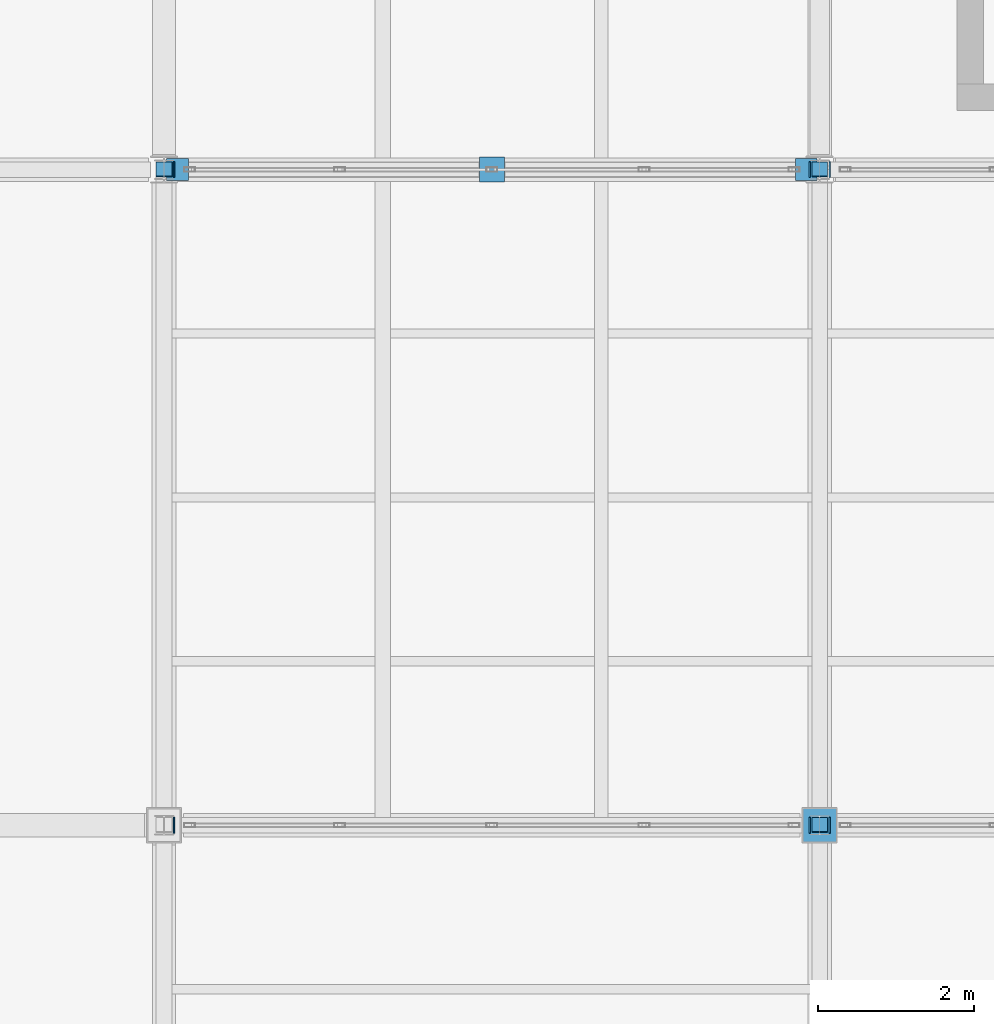
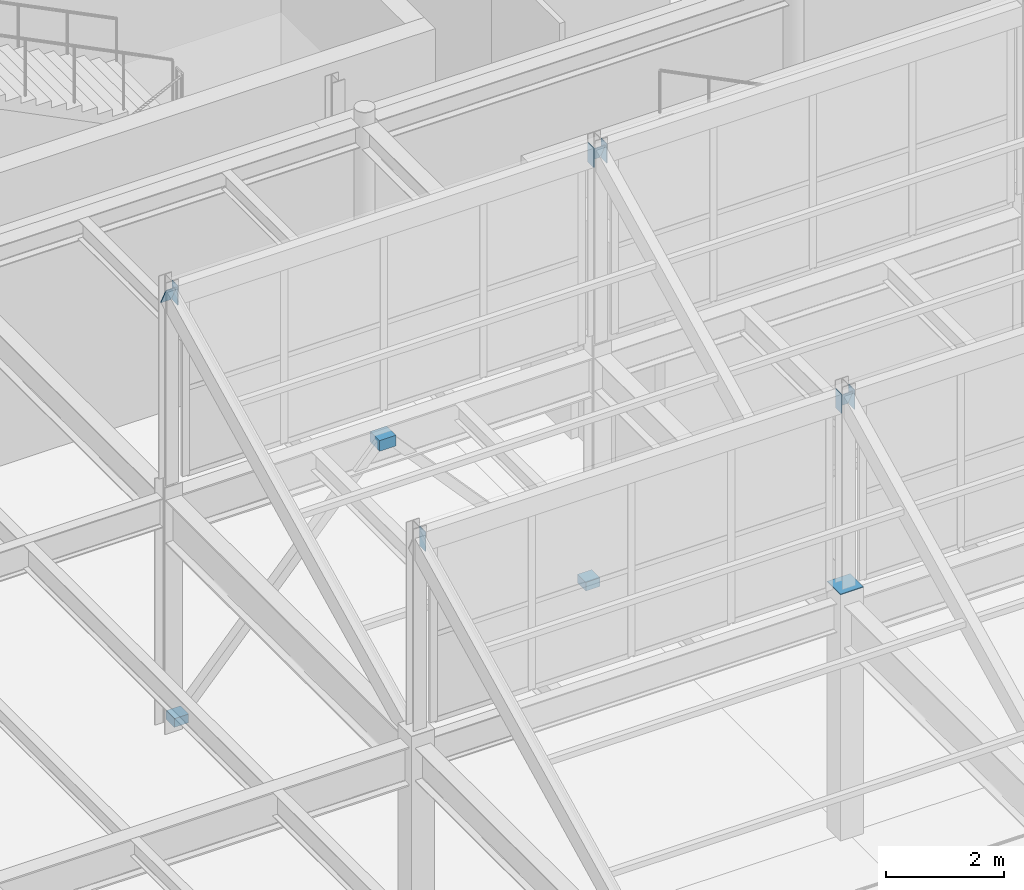
# One storey, part 75 of 91: 13 discrete accessories.
"""IFC4 building model written with IfcOpenShell, lengths in metres."""

from ifc_helpers import new_model, si_unit, direction, frame, origin, origin_2d, place, context, subcontext, project, spatial, rectangle, extrude, material, type_object, element, save


model = new_model("IFC4")

# Units and contexts
model_context = context("Model", 3, precision=1e-05, world=origin(), true_north=direction((0.0, 1.0)))
body_context = subcontext(model_context, "Body", "Model", "MODEL_VIEW")
ifc_project = project(units=[si_unit("LENGTHUNIT", "METRE"), si_unit("AREAUNIT", "SQUARE_METRE"), si_unit("VOLUMEUNIT", "CUBIC_METRE"), si_unit("PLANEANGLEUNIT", "RADIAN"), si_unit("MASSUNIT", "GRAM", prefix="KILO"), si_unit("THERMODYNAMICTEMPERATUREUNIT", "KELVIN")], contexts=[model_context])

# Site, building, storey
site_placement = place(None, origin())
site = spatial("IfcSite", under=ifc_project, at=site_placement, CompositionType="ELEMENT")
building_placement = place(site_placement, origin())
building = spatial("IfcBuilding", under=site, at=building_placement, Name="Lustrewick Department Store", CompositionType="ELEMENT")
storey_placement = place(building_placement, frame((0.0, 0.0, 21.60009765625)))
storey = spatial("IfcBuildingStorey", under=building, at=storey_placement, Name="L05", CompositionType="ELEMENT", Elevation=21.60009765625)

# Discrete accessories
ifc_material = material(Name="Structural steel Q355C", Category="steel")
discrete_accessory_type_1 = type_object("IfcDiscreteAccessoryType", Name="GUS-NODE", PredefinedType="BRACKET", material=ifc_material)
for number, where, z_axis, x_axis, name in (
    (1, (126.172119140625, 42.0, 0.06005859375), (0.0, 0.0, 1.0), (1.0, 0.0, 0.0), "L05 V3 Brace Base Gusset Plate"),
    (2, (134.22802734375, 42.0, 0.06005859375), (0.0, 0.0, 1.0), (1.0, 0.0, 0.0), "L05 V3 Brace Base Gusset Plate"),
):
    element("IfcDiscreteAccessory", number, at=place(storey_placement, frame(where, z_axis=z_axis, x_axis=x_axis)), inside=storey, type_object=discrete_accessory_type_1, Name=name, PredefinedType="BRACKET", context=body_context, shape_type="SweptSolid", body=[
        extrude(rectangle(XDim=0.280029296875, YDim=0.280029296875, at=origin_2d()), origin(), (0.0, 0.0, 1.0), 0.179931640625),
    ])
discrete_accessory_1_placement = place(storey_placement, frame((130.199951171875, 42.0, 4.384765625), z_axis=(0.0, 0.0, 1.0), x_axis=(1.0, 0.0, 0.0)))
element("IfcDiscreteAccessory", 3, at=discrete_accessory_1_placement, inside=storey, type_object=discrete_accessory_type_1, Name="L05 V3 Chevron Brace Apex Gusset Plate", PredefinedType="BRACKET", context=body_context, shape_type="SweptSolid", body=[
    extrude(rectangle(XDim=0.320068359375, YDim=0.320068359375, at=origin_2d()), origin(), (0.0, 0.0, 1.0), 0.219970703125),
])
discrete_accessory_type_2 = type_object("IfcDiscreteAccessoryType", Name="ECP-01", PredefinedType="USERDEFINED", material=ifc_material)
for number, where, z_axis, x_axis, name in (
    (4, (134.39990234375, 33.5947265625, 8.937255859375), (0.0, 0.89443239007, 0.447203197209), (-1.0, 0.0, 0.0), "L05 Welded Hollow-Section End-Cap Plate ECP-01"),
    (5, (134.39990234375, 41.99462890625, 8.937255859375), (0.0, 0.894427191, 0.4472135955), (-1.0, 0.0, 0.0), "L05 Welded Hollow-Section End-Cap Plate ECP-01"),
):
    element("IfcDiscreteAccessory", number, at=place(storey_placement, frame(where, z_axis=z_axis, x_axis=x_axis)), inside=storey, type_object=discrete_accessory_type_2, Name=name, ObjectType="END_CAP_PLATE", PredefinedType="USERDEFINED", context=body_context, shape_type="SweptSolid", body=[
        extrude(rectangle(XDim=0.199951171875, YDim=0.39990234375, at=origin_2d()), origin(), (0.0, 0.0, 1.0), 0.01611328125),
    ])
discrete_accessory_2_placement = place(storey_placement, frame((134.39990234375, 33.60009765625, 5.09375), z_axis=(0.0, 0.0, 1.0), x_axis=(1.0, 0.0, 0.0)))
element("IfcDiscreteAccessory", 6, at=discrete_accessory_2_placement, inside=storey, type_object=discrete_accessory_type_2, Name="L05 Welded Hollow-Section End-Cap Plate ECP-01", ObjectType="END_CAP_PLATE", PredefinedType="USERDEFINED", context=body_context, shape_type="SweptSolid", body=[
    extrude(rectangle(XDim=0.449951171875, YDim=0.449951171875, at=origin_2d()), origin(), (0.0, 0.0, 1.0), 0.01611328125),
])
for number, where, z_axis, x_axis, name in (
    (7, (134.263916015625, 42.0, 8.93994140625), (1.0, 0.0, 0.0), (0.0, 1.0, 0.0), "L05 Welded Hollow-Section End-Cap Plate ECP-01"),
    (8, (126.135986328125, 42.0, 8.93994140625), (-1.0, 0.0, 0.0), (0.0, 1.0, 0.0), "L05 Welded Hollow-Section End-Cap Plate ECP-01"),
    (9, (126.0, 41.99462890625, 8.937255859375), (0.0, 0.894427191, 0.4472135955), (-1.0, 0.0, 0.0), "L05 Welded Hollow-Section End-Cap Plate ECP-01"),
    (10, (134.263916015625, 33.60009765625, 8.93994140625), (1.0, 0.0, 0.0), (0.0, 1.0, 0.0), "L05 Welded Hollow-Section End-Cap Plate ECP-01"),
    (11, (126.135986328125, 33.60009765625, 8.93994140625), (-1.0, 0.0, 0.0), (0.0, 1.0, 0.0), "L05 Welded Hollow-Section End-Cap Plate ECP-01"),
    (12, (134.5361328125, 33.60009765625, 8.93994140625), (-1.0, 0.0, 0.0), (0.0, 1.0, 0.0), "L05 Welded Hollow-Section End-Cap Plate ECP-01"),
    (13, (134.5361328125, 42.0, 8.93994140625), (-1.0, 0.0, 0.0), (0.0, 1.0, 0.0), "L05 Welded Hollow-Section End-Cap Plate ECP-01"),
):
    element("IfcDiscreteAccessory", number, at=place(storey_placement, frame(where, z_axis=z_axis, x_axis=x_axis)), inside=storey, type_object=discrete_accessory_type_2, Name=name, ObjectType="END_CAP_PLATE", PredefinedType="USERDEFINED", context=body_context, shape_type="SweptSolid", body=[
        extrude(rectangle(XDim=0.199951171875, YDim=0.39990234375, at=origin_2d()), origin(), (0.0, 0.0, 1.0), 0.01611328125),
    ])

save(model, "model.ifc")
